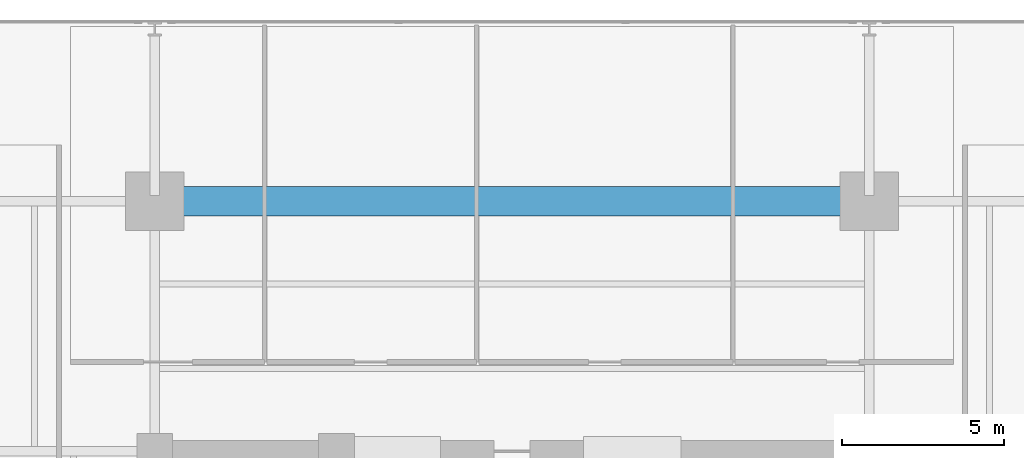
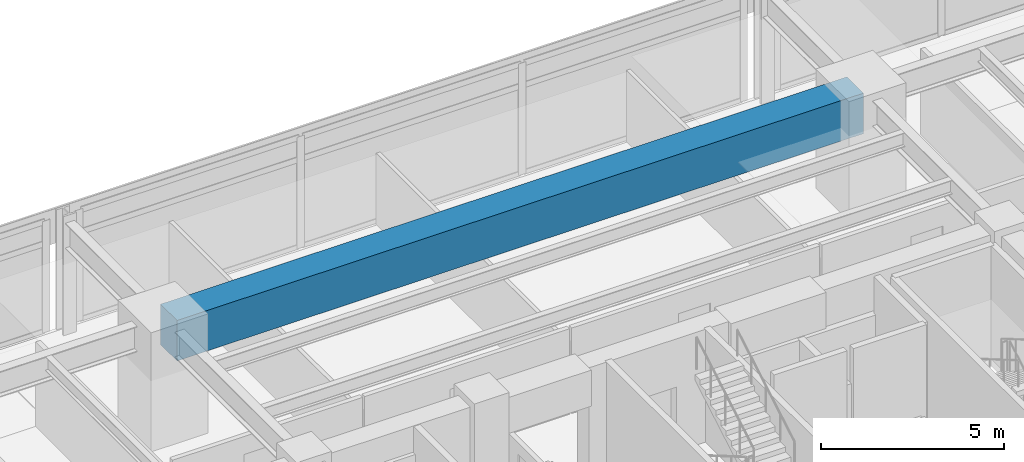
# One storey, part 9 of 23: 1 beam.
"""IFC4 building model written with IfcOpenShell, lengths in metres."""

from ifc_helpers import new_model, si_unit, direction, frame, origin, origin_2d, place, context, subcontext, project, spatial, rectangle, extrude, material, material_profile, profile_set, type_object, element, save


model = new_model("IFC4")

# Units and contexts
model_context = context("Model", 3, precision=1e-05, world=origin(), true_north=direction((0.0, 1.0)))
body_context = subcontext(model_context, "Body", "Model", "MODEL_VIEW")
ifc_project = project(units=[si_unit("LENGTHUNIT", "METRE"), si_unit("AREAUNIT", "SQUARE_METRE"), si_unit("VOLUMEUNIT", "CUBIC_METRE"), si_unit("PLANEANGLEUNIT", "RADIAN"), si_unit("MASSUNIT", "GRAM", prefix="KILO")], contexts=[model_context])

# Site, building, storey
site_placement = place(None, origin())
site = spatial("IfcSite", under=ifc_project, at=site_placement, CompositionType="ELEMENT")
building_placement = place(site_placement, origin())
building = spatial("IfcBuilding", under=site, at=building_placement, Name="Kovane Verandah Tower", CompositionType="ELEMENT")
storey_placement = place(building_placement, frame((0.0, 0.0, 55.60009765625)))
storey = spatial("IfcBuildingStorey", under=building, at=storey_placement, Name="L12", CompositionType="ELEMENT", Elevation=55.60009765625)

# Beam
ifc_material = material(Name="Concrete C80/95", Category="concrete")
ifc_material_profile = material_profile(ifc_material, rectangle(XDim=0.89990234375, YDim=1.35009765625, at=origin_2d()), Name="RCB900x1350")
ifc_profile_set = profile_set([ifc_material_profile], Name="Concrete C80/95")
beam_type = type_object("IfcBeamType", Name="BM-TR-900x1350", PredefinedType="BEAM", material=ifc_profile_set)
beam_placement = place(storey_placement, frame((29.179931640625, 44.199951171875, 3.0849609375), z_axis=(1.0, 0.0, 0.0), x_axis=(0.0, 1.0, 0.0)))
element("IfcBeam", 1, at=beam_placement, inside=storey, type_object=beam_type, Name="L12 Primary Tower Girder G-RN2", PredefinedType="BEAM", context=body_context, shape_type="SweptSolid", body=[
    extrude(rectangle(XDim=0.89990234375, YDim=1.35009765625, at=origin_2d()), origin(), (0.0, 0.0, 1.0), 21.64013671875),
])

save(model, "model.ifc")
